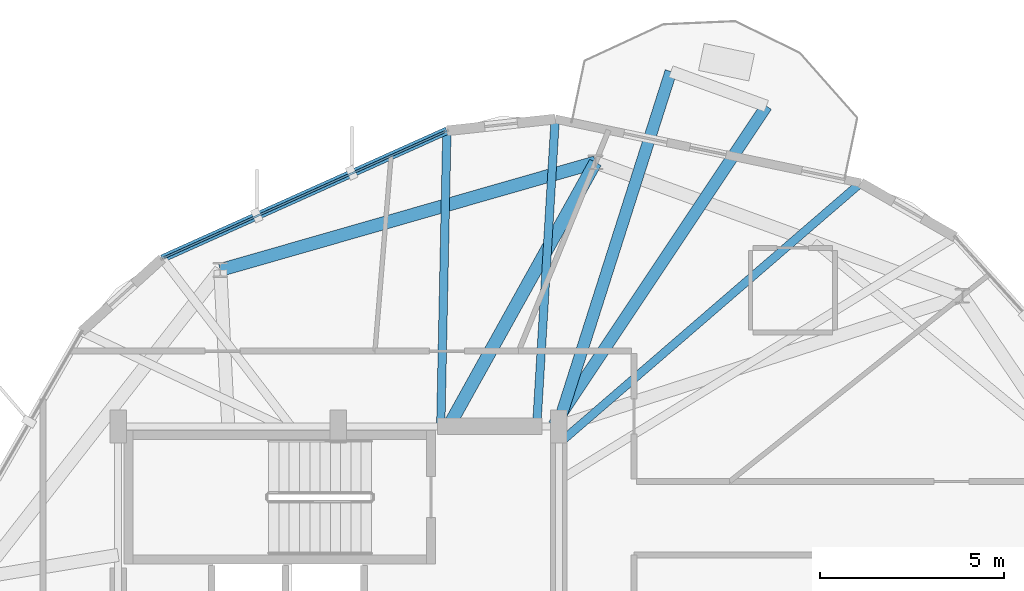
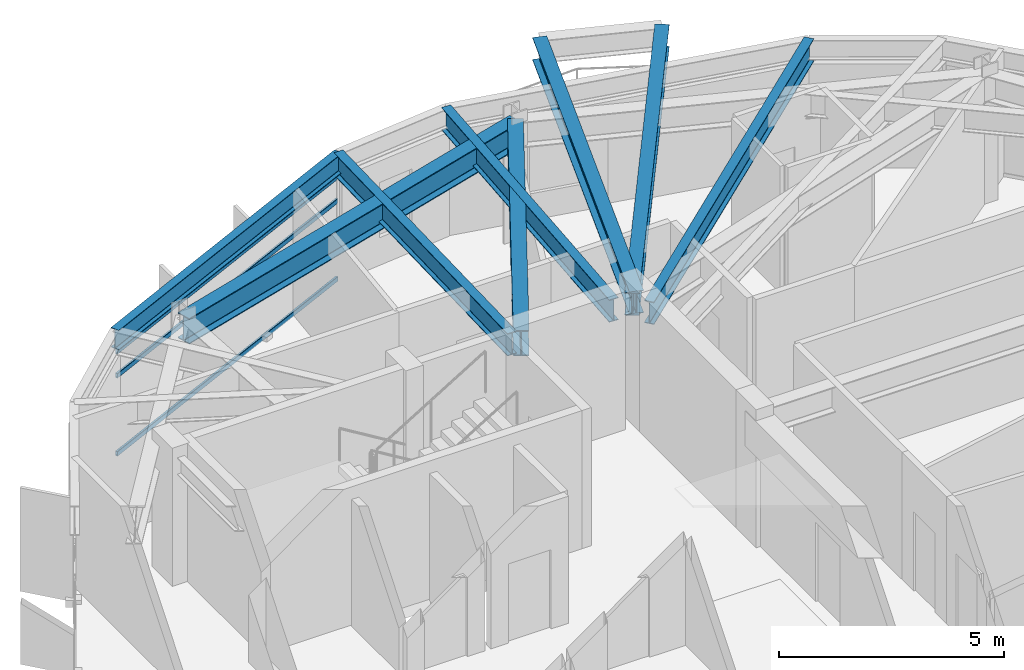
# One storey, part 14 of 23: 8 beams, 3 members, 1 element without a shape of its own.
"""IFC4 building model written with IfcOpenShell, lengths in metres."""

from ifc_helpers import new_model, si_unit, direction, frame, origin, origin_2d, place, context, subcontext, project, spatial, hollow_rectangle, i_section, extrude, material, layer, layer_set, material_profile, profile_set, type_object, element, aggregate, save


model = new_model("IFC4")

# Units and contexts
model_context = context("Model", 3, precision=1e-05, world=origin(), true_north=direction((0.0, 1.0)))
body_context = subcontext(model_context, "Body", "Model", "MODEL_VIEW")
ifc_project = project(units=[si_unit("LENGTHUNIT", "METRE"), si_unit("AREAUNIT", "SQUARE_METRE"), si_unit("VOLUMEUNIT", "CUBIC_METRE"), si_unit("PLANEANGLEUNIT", "RADIAN"), si_unit("MASSUNIT", "GRAM", prefix="KILO")], contexts=[model_context])

# Site, building, storey
site_placement = place(None, origin())
site = spatial("IfcSite", under=ifc_project, at=site_placement, CompositionType="ELEMENT")
building_placement = place(site_placement, origin())
building = spatial("IfcBuilding", under=site, at=building_placement, Name="Soratama Intermodal Tower", CompositionType="ELEMENT")
storey_placement = place(building_placement, frame((0.0, 0.0, 253.75)))
storey = spatial("IfcBuildingStorey", under=building, at=storey_placement, Name="L64", CompositionType="ELEMENT", Elevation=253.75)

# Beams
ifc_material_1 = material(Name="Structural steel ASTM A992 Grade 50", Category="steel")
ifc_material_profile_1 = material_profile(ifc_material_1, i_section(OverallWidth=0.324951171875, OverallDepth=0.615966796875, WebThickness=0.013916015625, FlangeThickness=0.021484375, FilletRadius=0.013916015625, at=origin_2d()), Name="W24X117")
ifc_profile_set_1 = profile_set([ifc_material_profile_1], Name="Structural steel ASTM A992 Grade 50")
beam_type_1 = type_object("IfcBeamType", Name="BM-CANT-W24X117", PredefinedType="BEAM", material=ifc_profile_set_1)
beam_1_placement = place(storey_placement, frame((44.462890625, 35.032958984375, 3.14208984375), z_axis=(0.554495183765, 0.832186932835, 0.0), x_axis=(-0.832186932835, 0.554495183765, 0.0)))
element("IfcBeam", 1, at=beam_1_placement, inside=storey, type_object=beam_type_1, Name="BM-L64-CANT-1-1", PredefinedType="BEAM", context=body_context, shape_type="SweptSolid", body=[
    extrude(i_section(OverallWidth=0.324951171875, OverallDepth=0.615966796875, WebThickness=0.013916015625, FlangeThickness=0.021484375, FilletRadius=0.013916015625, at=origin_2d()), origin(), (0.0, 0.0, 1.0), 10.44384765625),
])
beam_2_placement = place(storey_placement, frame((44.583984375, 35.0380859375, 3.14208984375), z_axis=(0.303799913699, 0.952735856592, 0.0), x_axis=(-0.952735856592, 0.303799913699, 0.0)))
element("IfcBeam", 2, at=beam_2_placement, inside=storey, type_object=beam_type_1, Name="BM-L64-CANT-1-2", PredefinedType="BEAM", context=body_context, shape_type="SweptSolid", body=[
    extrude(i_section(OverallWidth=0.324951171875, OverallDepth=0.615966796875, WebThickness=0.013916015625, FlangeThickness=0.021484375, FilletRadius=0.013916015625, at=origin_2d()), origin(), (0.0, 0.0, 1.0), 10.10546875),
])
ifc_material_2 = material(Name="Structural steel ASTM A992 Grade 50", Category="steel")
ifc_material_profile_2 = material_profile(ifc_material_2, i_section(OverallWidth=0.35498046875, OverallDepth=0.695068359375, WebThickness=0.015380859375, FlangeThickness=0.02490234375, FilletRadius=0.01611328125, at=origin_2d()), Name="W27X146")
ifc_profile_set_2 = profile_set([ifc_material_profile_2], Name="Structural steel ASTM A992 Grade 50")
beam_type_2 = type_object("IfcBeamType", Name="BM-RING-W27X146", PredefinedType="BEAM", material=ifc_profile_set_2)
beam_3_placement = place(storey_placement, frame((45.60009765625, 42.18994140625, 3.1025390625), z_axis=(-0.961238292127, -0.275718961532, 0.0), x_axis=(0.275718961532, -0.961238292127, 0.0)))
element("IfcBeam", 3, at=beam_3_placement, inside=storey, type_object=beam_type_2, Name="BM-L64-RING-03", PredefinedType="BEAM", context=body_context, shape_type="SweptSolid", body=[
    extrude(i_section(OverallWidth=0.35498046875, OverallDepth=0.695068359375, WebThickness=0.015380859375, FlangeThickness=0.02490234375, FilletRadius=0.01611328125, at=origin_2d()), origin(), (0.0, 0.0, 1.0), 10.630126953125),
])
beam_4_placement = place(storey_placement, frame((41.60009765625, 35.0, 3.1025390625), z_axis=(0.486161842523, 0.873868790423, 0.0), x_axis=(-0.873868790423, 0.486161842523, 0.0)))
element("IfcBeam", 4, at=beam_4_placement, inside=storey, type_object=beam_type_2, Name="BM-L64-RAD-03", PredefinedType="BEAM", context=body_context, shape_type="SweptSolid", body=[
    extrude(i_section(OverallWidth=0.35498046875, OverallDepth=0.695068359375, WebThickness=0.015380859375, FlangeThickness=0.02490234375, FilletRadius=0.01611328125, at=origin_2d()), origin(), (0.0, 0.0, 1.0), 8.227783203125),
])
ifc_material_3 = material(Name="Structural steel ASTM A992 Grade 50", Category="steel")
ifc_material_profile_3 = material_profile(ifc_material_3, i_section(OverallWidth=0.2099609375, OverallDepth=0.537109375, WebThickness=0.010986328125, FlangeThickness=0.017333984375, FilletRadius=0.012939453125, at=origin_2d()), Name="W21X68")
ifc_profile_set_3 = profile_set([ifc_material_profile_3], Name="Structural steel ASTM A992 Grade 50")
beam_type_3 = type_object("IfcBeamType", Name="BM-SPN-W21X68", PredefinedType="SPANDREL", material=ifc_profile_set_3)
beam_5_placement = place(storey_placement, frame((41.552978515625, 43.052001953125, 3.181396484375), z_axis=(-0.912243686012, -0.409647967566, 0.0), x_axis=(0.409647967566, -0.912243686012, 0.0)))
element("IfcBeam", 5, at=beam_5_placement, inside=storey, type_object=beam_type_3, Name="BS-L64-F02", PredefinedType="SPANDREL", context=body_context, shape_type="SweptSolid", body=[
    extrude(i_section(OverallWidth=0.2099609375, OverallDepth=0.537109375, WebThickness=0.010986328125, FlangeThickness=0.017333984375, FilletRadius=0.012939453125, at=origin_2d()), origin(), (0.0, 0.0, 1.0), 8.499755859375),
])
ifc_material_4 = material(Name="Structural steel ASTM A992 Grade 50", Category="steel")
ifc_material_profile_4 = material_profile(ifc_material_4, i_section(OverallWidth=0.22900390625, OverallDepth=0.612060546875, WebThickness=0.011962890625, FlangeThickness=0.01953125, FilletRadius=0.012939453125, at=origin_2d()), Name="W24X84")
ifc_profile_set_4 = profile_set([ifc_material_profile_4], Name="Structural steel ASTM A992 Grade 50")
beam_type_4 = type_object("IfcBeamType", Name="BM-TIE-W24X84", PredefinedType="BEAM", material=ifc_profile_set_4)
beam_6_placement = place(storey_placement, frame((44.6298828125, 34.556884765625, 3.14404296875), z_axis=(0.756915819445, 0.653512388769, 0.0), x_axis=(-0.653512388769, 0.756915819445, 0.0)))
element("IfcBeam", 6, at=beam_6_placement, inside=storey, type_object=beam_type_4, Name="BM-L64-TIE0-01", PredefinedType="BEAM", context=body_context, shape_type="SweptSolid", body=[
    extrude(i_section(OverallWidth=0.22900390625, OverallDepth=0.612060546875, WebThickness=0.011962890625, FlangeThickness=0.01953125, FilletRadius=0.012939453125, at=origin_2d()), origin(), (0.0, 0.0, 1.0), 10.822998046875),
])
beam_7_placement = place(storey_placement, frame((44.0009765625, 35.0400390625, 3.14404296875), z_axis=(0.06014178643, 0.998189844431, 0.0), x_axis=(-0.998189844431, 0.06014178643, 0.0)))
element("IfcBeam", 7, at=beam_7_placement, inside=storey, type_object=beam_type_4, Name="BM-L64-TIE1-01", PredefinedType="BEAM", context=body_context, shape_type="SweptSolid", body=[
    extrude(i_section(OverallWidth=0.22900390625, OverallDepth=0.612060546875, WebThickness=0.011962890625, FlangeThickness=0.01953125, FilletRadius=0.012939453125, at=origin_2d()), origin(), (0.0, 0.0, 1.0), 8.34619140625),
])
beam_8_placement = place(storey_placement, frame((41.386962890625, 35.0400390625, 3.14404296875), z_axis=(0.020716520861, 0.999785389853, 0.0), x_axis=(-0.999785389853, 0.020716520861, 0.0)))
element("IfcBeam", 8, at=beam_8_placement, inside=storey, type_object=beam_type_4, Name="BM-L64-TIE0-02", PredefinedType="BEAM", context=body_context, shape_type="SweptSolid", body=[
    extrude(i_section(OverallWidth=0.22900390625, OverallDepth=0.612060546875, WebThickness=0.011962890625, FlangeThickness=0.01953125, FilletRadius=0.012939453125, at=origin_2d()), origin(), (0.0, 0.0, 1.0), 8.013671875),
])

# Curtain wall, members
ifc_material_5 = material(Name="Double-glazed aluminium curtain wall", Category="aluminium")
ifc_layer = layer(ifc_material_5, 0.159912109375)
ifc_layer_set = layer_set([ifc_layer], Name="Double-glazed aluminium curtain wall")
curtain_wall_type = type_object("IfcCurtainWallType", Name="CW-SYS-5", PredefinedType="NOTDEFINED", material=ifc_layer_set)
curtain_wall_placement = place(storey_placement, origin())
curtain_wall = element("IfcCurtainWall", 9, at=curtain_wall_placement, inside=storey, type_object=curtain_wall_type, Name="L64 Faceted Curtain Wall F02", PredefinedType="NOTDEFINED")
ifc_material_6 = material(Name="Anodised aluminium AA 6063-T6", Category="aluminium")
ifc_material_profile_5 = material_profile(ifc_material_6, hollow_rectangle(XDim=0.06005859375, YDim=0.1298828125, WallThickness=0.0048828125, InnerFilletRadius=0.0048828125, OuterFilletRadius=0.010009765625, at=origin_2d()), Name="CWT130X60X5")
ifc_profile_set_5 = profile_set([ifc_material_profile_5], Name="Anodised aluminium AA 6063-T6")
member_type = type_object("IfcMemberType", Name="TT-CWT-2", PredefinedType="USERDEFINED", material=ifc_profile_set_5)
member_1_placement = place(storey_placement, frame((41.498779296875, 43.02734375, 0.030029296875), z_axis=(-0.912268422758, -0.409592876938, 0.0), x_axis=(0.409592876938, -0.912268422758, 0.0)))
member_1 = element("IfcMember", 10, at=member_1_placement, type_object=member_type, Name="CW-5 transom 1.1", ObjectType="TRANSOM", PredefinedType="USERDEFINED", context=body_context, shape_type="SweptSolid", body=[
    extrude(hollow_rectangle(XDim=0.06005859375, YDim=0.1298828125, WallThickness=0.0048828125, InnerFilletRadius=0.0048828125, OuterFilletRadius=0.010009765625, at=origin_2d()), origin(), (0.0, 0.0, 1.0), 8.3798828125),
])
member_2_placement = place(storey_placement, frame((41.498779296875, 43.02734375, 2.14990234375), z_axis=(-0.912268422758, -0.409592876938, 0.0), x_axis=(0.409592876938, -0.912268422758, 0.0)))
member_2 = element("IfcMember", 11, at=member_2_placement, type_object=member_type, Name="CW-5 transom 1.2", ObjectType="TRANSOM", PredefinedType="USERDEFINED", context=body_context, shape_type="SweptSolid", body=[
    extrude(hollow_rectangle(XDim=0.06005859375, YDim=0.1298828125, WallThickness=0.0048828125, InnerFilletRadius=0.0048828125, OuterFilletRadius=0.010009765625, at=origin_2d()), origin(), (0.0, 0.0, 1.0), 8.3798828125),
])
member_3_placement = place(storey_placement, frame((41.498779296875, 43.02734375, 2.799072265625), z_axis=(-0.912268422758, -0.409592876938, 0.0), x_axis=(0.409592876938, -0.912268422758, 0.0)))
member_3 = element("IfcMember", 12, at=member_3_placement, type_object=member_type, Name="CW-5 transom 1.3", ObjectType="TRANSOM", PredefinedType="USERDEFINED", context=body_context, shape_type="SweptSolid", body=[
    extrude(hollow_rectangle(XDim=0.06005859375, YDim=0.1298828125, WallThickness=0.0048828125, InnerFilletRadius=0.0048828125, OuterFilletRadius=0.010009765625, at=origin_2d()), origin(), (0.0, 0.0, 1.0), 8.3798828125),
])
aggregate(curtain_wall, [member_1, member_2, member_3])

save(model, "model.ifc")
